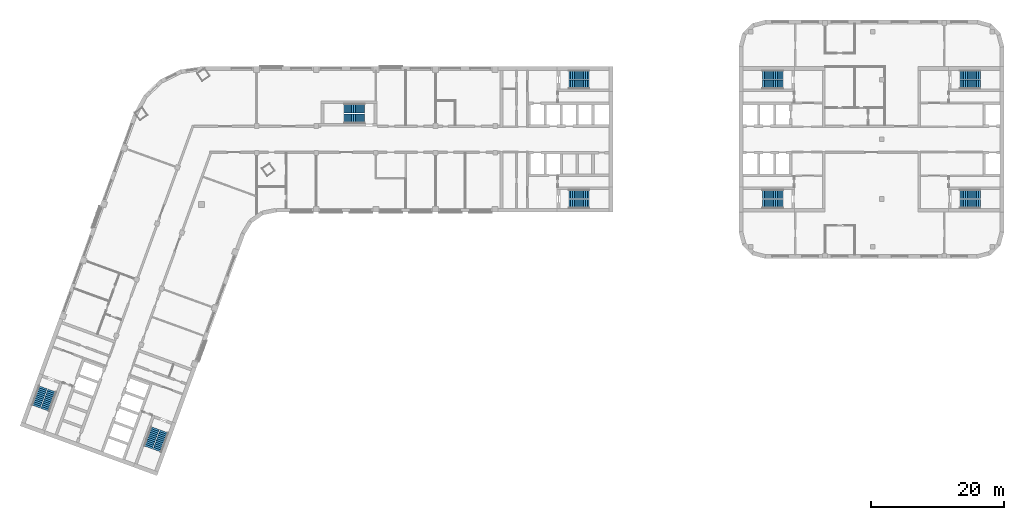
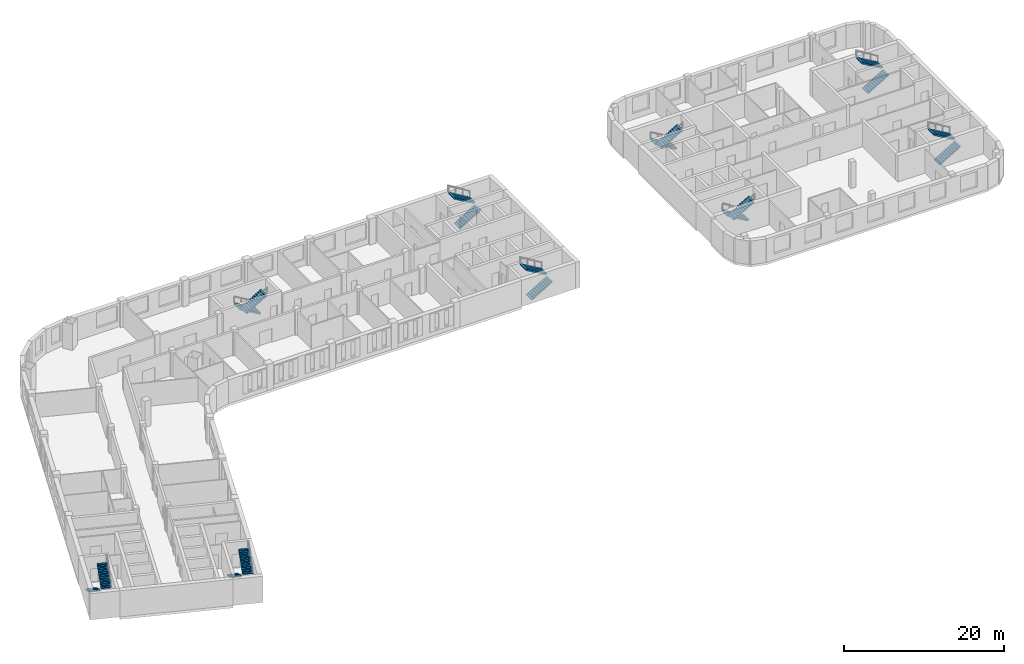
# One storey, part 10 of 12: 18 stair flights, 9 elements without a shape of their own.
"""IFC4 building model written with IfcOpenShell, lengths in metres."""

import ifcopenshell
import ifcopenshell.guid

model = None  # the IFC model being written
_history = None  # IfcOwnerHistory: only IFC2X3 demands one
_inside = {}  # id of a spatial element -> (the spatial element, [elements in it])
_under = {}  # id of a project, library or spatial element -> (it, [spatial elements below it])
_declared = {}  # id of a project -> (the project, [libraries it declares])
_typed = {}  # id of a type object -> (the type object, [elements of that type])
_made_of = {}  # id of a material, layer set ... -> (it, [elements and type objects made of it])


def new_model(schema):
    """Start an empty IFC model of exactly this schema.

    Asked for "IFC4X3", IfcOpenShell would pick the latest addendum, in which some entities
    have other attributes; the version numbers below select the first issue.
    IFC2X3 requires an IfcOwnerHistory on every rooted entity: one is made here for all.
    """
    global model, _history
    if schema == "IFC4X3":
        model = ifcopenshell.file(schema_version=(4, 3, 0, 0))
    else:
        model = ifcopenshell.file(schema=schema)
    _inside.clear()
    _under.clear()
    _declared.clear()
    _typed.clear()
    _made_of.clear()
    _history = None
    if model.schema == "IFC2X3":
        org = make("IfcOrganization", Name="unknown")
        user = make(
            "IfcPersonAndOrganization",
            ThePerson=make("IfcPerson", FamilyName="unknown"),
            TheOrganization=org,
        )
        app = make(
            "IfcApplication",
            ApplicationDeveloper=org,
            Version="unknown",
            ApplicationFullName="unknown",
            ApplicationIdentifier="unknown",
        )
        _history = make(
            "IfcOwnerHistory",
            OwningUser=user,
            OwningApplication=app,
            ChangeAction="ADDED",
            CreationDate=0,
        )
    return model


def make(cls, **values):
    """One entity of the class cls with the attributes given. An attribute that is None is left unset."""
    return model.create_entity(
        cls, **{name: value for name, value in values.items() if value is not None}
    )


def rooted(cls, **values):
    """An entity with a GlobalId (a new one), such as an element, a storey or a relation."""
    return make(cls, GlobalId=ifcopenshell.guid.new(), OwnerHistory=_history, **values)


def si_unit(unit_type, name, prefix=None):
    """IfcSIUnit, for example si_unit("LENGTHUNIT", "METRE", prefix="MILLI")."""
    return make("IfcSIUnit", UnitType=unit_type, Prefix=prefix, Name=name)


def assignment(units):
    """IfcUnitAssignment: the units of a project."""
    return None if units is None else make("IfcUnitAssignment", Units=units)


def point(xyz):
    """IfcCartesianPoint."""
    return None if xyz is None else make("IfcCartesianPoint", Coordinates=xyz)


def direction(xyz):
    """IfcDirection."""
    return None if xyz is None else make("IfcDirection", DirectionRatios=xyz)


def frame(location, z_axis=None, x_axis=None):
    """IfcAxis2Placement3D, a coordinate frame: its origin and axes. An axis left out is left unset."""
    return make(
        "IfcAxis2Placement3D",
        Location=point(location),
        Axis=direction(z_axis),
        RefDirection=direction(x_axis),
    )


def origin():
    """The frame at (0, 0, 0) with its axes left unset."""
    return frame((0.0, 0.0, 0.0))


def place(relative_to, where):
    """IfcLocalPlacement: puts the frame where relative to a parent placement (None: the world)."""
    return make(
        "IfcLocalPlacement", PlacementRelTo=relative_to, RelativePlacement=where
    )


def context(
    kind, dimensions, precision=None, world=None, true_north=None, identifier=None
):
    """IfcGeometricRepresentationContext, for example the 3D "Model" context."""
    return make(
        "IfcGeometricRepresentationContext",
        ContextIdentifier=identifier,
        ContextType=kind,
        CoordinateSpaceDimension=dimensions,
        Precision=precision,
        WorldCoordinateSystem=world,
        TrueNorth=true_north,
    )


def subcontext(parent, identifier, kind, view, scale=None):
    """IfcGeometricRepresentationSubContext, for example "Body" below "Model"."""
    return make(
        "IfcGeometricRepresentationSubContext",
        ContextIdentifier=identifier,
        ContextType=kind,
        ParentContext=parent,
        TargetScale=scale,
        TargetView=view,
    )


def project(units=None, contexts=None):
    """IfcProject with its units and contexts."""
    return rooted(
        "IfcProject",
        Name="project",
        RepresentationContexts=contexts,
        UnitsInContext=assignment(units),
    )


def spatial(cls, under=None, at=None, **own):
    """A site, building, storey or space (cls), placed at a placement, below another one or the project."""
    s = rooted(cls, ObjectPlacement=at, **own)
    if under is not None:
        _under.setdefault(under.id(), (under, []))[1].append(s)
    return s


def polyline(points):
    """IfcPolyline through the points."""
    return make("IfcPolyline", Points=[point(p) for p in points])


def outline(outer, holes=None, kind="AREA"):
    """IfcArbitraryClosedProfileDef: a profile drawn as a closed curve; with holes, ...WithVoids."""
    if holes is None:
        return make("IfcArbitraryClosedProfileDef", ProfileType=kind, OuterCurve=outer)
    return make(
        "IfcArbitraryProfileDefWithVoids",
        ProfileType=kind,
        OuterCurve=outer,
        InnerCurves=holes,
    )


def extrude(swept, where, along, depth):
    """IfcExtrudedAreaSolid: the profile swept, set in the frame where, extruded along a direction by depth."""
    return make(
        "IfcExtrudedAreaSolid",
        SweptArea=swept,
        Position=where,
        ExtrudedDirection=direction(along),
        Depth=depth,
    )


def shape(context_of_items, identifier, shape_type, items):
    """IfcShapeRepresentation: the items that make up one representation, for example the "Body"."""
    return make(
        "IfcShapeRepresentation",
        ContextOfItems=context_of_items,
        RepresentationIdentifier=identifier,
        RepresentationType=shape_type,
        Items=items,
    )


def material(Name=None, Category=None):
    """IfcMaterial."""
    return make("IfcMaterial", Name=Name, Category=Category)


def made_of(thing, what):
    """Note that an element or type object is made of a material, layer set ...; save() writes the relation."""
    if what is not None:
        _made_of.setdefault(what.id(), (what, []))[1].append(thing)
    return thing


def type_object(cls, material=None, **own):
    """A type object (cls), such as IfcWallType, which elements share."""
    return made_of(rooted(cls, **own), material)


def element(
    cls,
    number,
    at=None,
    inside=None,
    cuts=None,
    type_object=None,
    material=None,
    context=None,
    identifier="Body",
    shape_type=None,
    held_by="IfcProductDefinitionShape",
    body=None,
    shapes=None,
    **own,
):
    """One element of the class cls, such as IfcWall. Its Tag is "e" and its number.

    at: its placement. inside: the storey or other place that contains it. cuts: it is an
    opening in that element (IfcRelVoidsElement). A single representation is given by context,
    identifier, shape_type and body (its items); several are given by shapes. held_by: the class
    of the entity that holds the representations. save() writes the other relations.
    """
    e = rooted(cls, Tag="e%d" % number, ObjectPlacement=at, **own)
    if body is not None:
        shapes = [shape(context, identifier, shape_type, body)]
    if shapes is not None:
        e.Representation = make(held_by, Representations=shapes)
    if inside is not None:
        _inside.setdefault(inside.id(), (inside, []))[1].append(e)
    if cuts is not None:
        rooted(
            "IfcRelVoidsElement", RelatingBuildingElement=cuts, RelatedOpeningElement=e
        )
    if type_object is not None:
        _typed.setdefault(type_object.id(), (type_object, []))[1].append(e)
    return made_of(e, material)


def aggregate(whole, parts):
    """IfcRelAggregates: a whole, such as a stair, and the parts it consists of."""
    return rooted("IfcRelAggregates", RelatingObject=whole, RelatedObjects=parts)


def save(model, path):
    """Write the relations noted so far, then the file.

    IfcRelAggregates (storeys below a building ...), IfcRelContainedInSpatialStructure (elements
    in a storey), IfcRelDefinesByType, IfcRelAssociatesMaterial and IfcRelDeclares: one each for
    every whole, place, type object, material and project.
    """
    for whole, parts in _under.values():
        aggregate(whole, parts)
    for where, things in _inside.values():
        rooted(
            "IfcRelContainedInSpatialStructure",
            RelatedElements=things,
            RelatingStructure=where,
        )
    for kind, things in _typed.values():
        rooted("IfcRelDefinesByType", RelatedObjects=things, RelatingType=kind)
    for what, things in _made_of.values():
        rooted("IfcRelAssociatesMaterial", RelatedObjects=things, RelatingMaterial=what)
    for by, libraries in _declared.values():
        rooted("IfcRelDeclares", RelatingContext=by, RelatedDefinitions=libraries)
    model.write(path)


model = new_model("IFC4")

# Units and contexts
model_context = context("Model", 3, precision=1e-05, world=origin(), true_north=direction((0.0, 1.0)))
body_context = subcontext(model_context, "Body", "Model", "MODEL_VIEW")
ifc_project = project(units=[si_unit("LENGTHUNIT", "METRE"), si_unit("AREAUNIT", "SQUARE_METRE"), si_unit("VOLUMEUNIT", "CUBIC_METRE"), si_unit("PLANEANGLEUNIT", "RADIAN"), si_unit("MASSUNIT", "GRAM", prefix="KILO")], contexts=[model_context])

# Site, building, storey
site_placement = place(None, origin())
site = spatial("IfcSite", under=ifc_project, at=site_placement, CompositionType="ELEMENT")
building_placement = place(site_placement, origin())
building = spatial("IfcBuilding", under=site, at=building_placement, Name="Skarvind Civic Tower", CompositionType="ELEMENT")
storey_placement = place(building_placement, frame((0.0, 0.0, 59.5)))
storey = spatial("IfcBuildingStorey", under=building, at=storey_placement, Name="L13", CompositionType="ELEMENT", Elevation=59.5)

# Stair, stair flights
ifc_material = material(Name="Concrete C40/50", Category="concrete")
stair_type_1 = type_object("IfcStairType", Name="Exit stair 1450, half-turn, concrete", PredefinedType="HALF_TURN_STAIR", material=ifc_material)
stair_1_placement = place(storey_placement, origin())
stair_1 = element("IfcStair", 1, at=stair_1_placement, inside=storey, type_object=stair_type_1, Name="Exit stair CM", PredefinedType="HALF_TURN_STAIR")
stair_flight_type_1 = type_object("IfcStairFlightType", Name="Stair flight 1450, concrete", PredefinedType="STRAIGHT", material=ifc_material)
stair_flight_1_placement = place(storey_placement, frame((70.550048828125, 132.675048828125, 0.0), z_axis=(0.0, 0.0, 1.0), x_axis=(-1.0, 0.0, 0.0)))
stair_flight_1 = element("IfcStairFlight", 2, at=stair_flight_1_placement, type_object=stair_flight_type_1, Name="ST-CM flight 1", NumberOfRisers=12, NumberOfTreads=11, PredefinedType="STRAIGHT", RiserHeight=0.166666667, TreadLength=0.28, context=body_context, shape_type="SweptSolid", body=[
    extrude(outline(polyline([(0.0, 0.0), (0.0, 0.166748046875), (0.280029296875, 0.166748046875), (0.280029296875, 0.333251953125), (0.56005859375, 0.333251953125), (0.56005859375, 0.5), (0.840087890625, 0.5), (0.840087890625, 0.666748046875), (1.1201171875, 0.666748046875), (1.1201171875, 0.833251953125), (1.39990234375, 0.833251953125), (1.39990234375, 1.0), (1.679931640625, 1.0), (1.679931640625, 1.166748046875), (1.9599609375, 1.166748046875), (1.9599609375, 1.333251953125), (2.239990234375, 1.333251953125), (2.239990234375, 1.5), (2.52001953125, 1.5), (2.52001953125, 1.666748046875), (2.800048828125, 1.666748046875), (2.800048828125, 1.833251953125), (3.080078125, 1.833251953125), (3.080078125, 2.0), (3.080078125, 1.658935546875), (0.29296875, 0.0), (0.0, 0.0)])), frame((0.0, 0.72509765625, 0.0), z_axis=(0.0, -1.0, 0.0), x_axis=(1.0, 0.0, 0.0)), (0.0, 0.0, 1.0), 1.449951171875),
])
stair_flight_2_placement = place(storey_placement, frame((67.469970703125, 131.125, 2.0), z_axis=(0.0, 0.0, 1.0), x_axis=(1.0, 0.0, 0.0)))
stair_flight_2 = element("IfcStairFlight", 3, at=stair_flight_2_placement, type_object=stair_flight_type_1, Name="ST-CM flight 2", NumberOfRisers=12, NumberOfTreads=11, PredefinedType="STRAIGHT", RiserHeight=0.166666667, TreadLength=0.28, context=body_context, shape_type="SweptSolid", body=[
    extrude(outline(polyline([(0.0, 0.0), (0.0, 0.166748046875), (0.280029296875, 0.166748046875), (0.280029296875, 0.333251953125), (0.56005859375, 0.333251953125), (0.56005859375, 0.5), (0.840087890625, 0.5), (0.840087890625, 0.666748046875), (1.1201171875, 0.666748046875), (1.1201171875, 0.833251953125), (1.39990234375, 0.833251953125), (1.39990234375, 1.0), (1.679931640625, 1.0), (1.679931640625, 1.166748046875), (1.9599609375, 1.166748046875), (1.9599609375, 1.333251953125), (2.239990234375, 1.333251953125), (2.239990234375, 1.5), (2.52001953125, 1.5), (2.52001953125, 1.666748046875), (2.800048828125, 1.666748046875), (2.800048828125, 1.833251953125), (3.080078125, 1.833251953125), (3.080078125, 2.0), (3.080078125, 1.658935546875), (0.29296875, 0.0), (0.0, 0.0)])), frame((0.0, 0.72509765625, 0.0), z_axis=(0.0, -1.0, 0.0), x_axis=(1.0, 0.0, 0.0)), (0.0, 0.0, 1.0), 1.449951171875),
])
aggregate(stair_1, [stair_flight_1, stair_flight_2])

stair_type_2 = type_object("IfcStairType", Name="Exit stair, half-turn, concrete", PredefinedType="HALF_TURN_STAIR", material=ifc_material)
stair_2_placement = place(storey_placement, origin())
stair_2 = element("IfcStair", 4, at=stair_2_placement, inside=storey, type_object=stair_type_2, Name="Exit stair C1S", PredefinedType="HALF_TURN_STAIR")
stair_flight_type_2 = type_object("IfcStairFlightType", Name="Stair flight, concrete", PredefinedType="STRAIGHT", material=ifc_material)
stair_flight_3_placement = place(storey_placement, frame((101.35009765625, 136.27490234375, 0.0), z_axis=(0.0, 0.0, 1.0), x_axis=(1.0, 0.0, 0.0)))
stair_flight_3 = element("IfcStairFlight", 5, at=stair_flight_3_placement, type_object=stair_flight_type_2, Name="ST-C1S flight 1", NumberOfRisers=12, NumberOfTreads=11, PredefinedType="STRAIGHT", RiserHeight=0.166666667, TreadLength=0.28, context=body_context, shape_type="SweptSolid", body=[
    extrude(outline(polyline([(0.0, 0.0), (0.0, 0.166748046875), (0.280029296875, 0.166748046875), (0.280029296875, 0.333251953125), (0.56005859375, 0.333251953125), (0.56005859375, 0.5), (0.840087890625, 0.5), (0.840087890625, 0.666748046875), (1.1201171875, 0.666748046875), (1.1201171875, 0.833251953125), (1.39990234375, 0.833251953125), (1.39990234375, 1.0), (1.679931640625, 1.0), (1.679931640625, 1.166748046875), (1.9599609375, 1.166748046875), (1.9599609375, 1.333251953125), (2.239990234375, 1.333251953125), (2.239990234375, 1.5), (2.52001953125, 1.5), (2.52001953125, 1.666748046875), (2.800048828125, 1.666748046875), (2.800048828125, 1.833251953125), (3.080078125, 1.833251953125), (3.080078125, 2.0), (3.080078125, 1.658935546875), (0.29296875, 0.0), (0.0, 0.0)])), frame((0.0, 0.675048828125, 0.0), z_axis=(0.0, -1.0, 0.0), x_axis=(1.0, 0.0, 0.0)), (0.0, 0.0, 1.0), 1.35009765625),
])
stair_flight_4_placement = place(storey_placement, frame((104.429931640625, 137.72509765625, 2.0), z_axis=(0.0, 0.0, 1.0), x_axis=(-1.0, 0.0, 0.0)))
stair_flight_4 = element("IfcStairFlight", 6, at=stair_flight_4_placement, type_object=stair_flight_type_2, Name="ST-C1S flight 2", NumberOfRisers=12, NumberOfTreads=11, PredefinedType="STRAIGHT", RiserHeight=0.166666667, TreadLength=0.28, context=body_context, shape_type="SweptSolid", body=[
    extrude(outline(polyline([(0.0, 0.0), (0.0, 0.166748046875), (0.280029296875, 0.166748046875), (0.280029296875, 0.333251953125), (0.56005859375, 0.333251953125), (0.56005859375, 0.5), (0.840087890625, 0.5), (0.840087890625, 0.666748046875), (1.1201171875, 0.666748046875), (1.1201171875, 0.833251953125), (1.39990234375, 0.833251953125), (1.39990234375, 1.0), (1.679931640625, 1.0), (1.679931640625, 1.166748046875), (1.9599609375, 1.166748046875), (1.9599609375, 1.333251953125), (2.239990234375, 1.333251953125), (2.239990234375, 1.5), (2.52001953125, 1.5), (2.52001953125, 1.666748046875), (2.800048828125, 1.666748046875), (2.800048828125, 1.833251953125), (3.080078125, 1.833251953125), (3.080078125, 2.0), (3.080078125, 1.658935546875), (0.29296875, 0.0), (0.0, 0.0)])), frame((0.0, 0.675048828125, 0.0), z_axis=(0.0, -1.0, 0.0), x_axis=(1.0, 0.0, 0.0)), (0.0, 0.0, 1.0), 1.35009765625),
])
aggregate(stair_2, [stair_flight_3, stair_flight_4])

stair_3_placement = place(storey_placement, origin())
stair_3 = element("IfcStair", 7, at=stair_3_placement, inside=storey, type_object=stair_type_2, Name="Exit stair C1N", PredefinedType="HALF_TURN_STAIR")
stair_flight_5_placement = place(storey_placement, frame((101.35009765625, 118.27490234375, 0.0), z_axis=(0.0, 0.0, 1.0), x_axis=(1.0, 0.0, 0.0)))
stair_flight_5 = element("IfcStairFlight", 8, at=stair_flight_5_placement, type_object=stair_flight_type_2, Name="ST-C1N flight 1", NumberOfRisers=12, NumberOfTreads=11, PredefinedType="STRAIGHT", RiserHeight=0.166666667, TreadLength=0.28, context=body_context, shape_type="SweptSolid", body=[
    extrude(outline(polyline([(0.0, 0.0), (0.0, 0.166748046875), (0.280029296875, 0.166748046875), (0.280029296875, 0.333251953125), (0.56005859375, 0.333251953125), (0.56005859375, 0.5), (0.840087890625, 0.5), (0.840087890625, 0.666748046875), (1.1201171875, 0.666748046875), (1.1201171875, 0.833251953125), (1.39990234375, 0.833251953125), (1.39990234375, 1.0), (1.679931640625, 1.0), (1.679931640625, 1.166748046875), (1.9599609375, 1.166748046875), (1.9599609375, 1.333251953125), (2.239990234375, 1.333251953125), (2.239990234375, 1.5), (2.52001953125, 1.5), (2.52001953125, 1.666748046875), (2.800048828125, 1.666748046875), (2.800048828125, 1.833251953125), (3.080078125, 1.833251953125), (3.080078125, 2.0), (3.080078125, 1.658935546875), (0.29296875, 0.0), (0.0, 0.0)])), frame((0.0, 0.675048828125, 0.0), z_axis=(0.0, -1.0, 0.0), x_axis=(1.0, 0.0, 0.0)), (0.0, 0.0, 1.0), 1.35009765625),
])
stair_flight_6_placement = place(storey_placement, frame((104.429931640625, 119.72509765625, 2.0), z_axis=(0.0, 0.0, 1.0), x_axis=(-1.0, 0.0, 0.0)))
stair_flight_6 = element("IfcStairFlight", 9, at=stair_flight_6_placement, type_object=stair_flight_type_2, Name="ST-C1N flight 2", NumberOfRisers=12, NumberOfTreads=11, PredefinedType="STRAIGHT", RiserHeight=0.166666667, TreadLength=0.28, context=body_context, shape_type="SweptSolid", body=[
    extrude(outline(polyline([(0.0, 0.0), (0.0, 0.166748046875), (0.280029296875, 0.166748046875), (0.280029296875, 0.333251953125), (0.56005859375, 0.333251953125), (0.56005859375, 0.5), (0.840087890625, 0.5), (0.840087890625, 0.666748046875), (1.1201171875, 0.666748046875), (1.1201171875, 0.833251953125), (1.39990234375, 0.833251953125), (1.39990234375, 1.0), (1.679931640625, 1.0), (1.679931640625, 1.166748046875), (1.9599609375, 1.166748046875), (1.9599609375, 1.333251953125), (2.239990234375, 1.333251953125), (2.239990234375, 1.5), (2.52001953125, 1.5), (2.52001953125, 1.666748046875), (2.800048828125, 1.666748046875), (2.800048828125, 1.833251953125), (3.080078125, 1.833251953125), (3.080078125, 2.0), (3.080078125, 1.658935546875), (0.29296875, 0.0), (0.0, 0.0)])), frame((0.0, 0.675048828125, 0.0), z_axis=(0.0, -1.0, 0.0), x_axis=(1.0, 0.0, 0.0)), (0.0, 0.0, 1.0), 1.35009765625),
])
aggregate(stair_3, [stair_flight_5, stair_flight_6])

stair_4_placement = place(storey_placement, origin())
stair_4 = element("IfcStair", 10, at=stair_4_placement, inside=storey, type_object=stair_type_2, Name="Exit stair C2S", PredefinedType="HALF_TURN_STAIR")
stair_flight_7_placement = place(storey_placement, frame((38.949462890625, 84.43408203125, 0.0), z_axis=(0.0, 0.0, 1.0), x_axis=(-0.342020143326, -0.939692620786, 0.0)))
stair_flight_7 = element("IfcStairFlight", 11, at=stair_flight_7_placement, type_object=stair_flight_type_2, Name="ST-C2S flight 1", NumberOfRisers=12, NumberOfTreads=11, PredefinedType="STRAIGHT", RiserHeight=0.166666667, TreadLength=0.28, context=body_context, shape_type="SweptSolid", body=[
    extrude(outline(polyline([(0.0, 0.0), (0.0, 0.166748046875), (0.280029296875, 0.166748046875), (0.280029296875, 0.333251953125), (0.56005859375, 0.333251953125), (0.56005859375, 0.5), (0.840087890625, 0.5), (0.840087890625, 0.666748046875), (1.1201171875, 0.666748046875), (1.1201171875, 0.833251953125), (1.39990234375, 0.833251953125), (1.39990234375, 1.0), (1.679931640625, 1.0), (1.679931640625, 1.166748046875), (1.9599609375, 1.166748046875), (1.9599609375, 1.333251953125), (2.239990234375, 1.333251953125), (2.239990234375, 1.5), (2.52001953125, 1.5), (2.52001953125, 1.666748046875), (2.800048828125, 1.666748046875), (2.800048828125, 1.833251953125), (3.080078125, 1.833251953125), (3.080078125, 2.0), (3.080078125, 1.658935546875), (0.29296875, 0.0), (0.0, 0.0)])), frame((0.0, 0.675048828125, 0.0), z_axis=(0.0, -1.0, 0.0), x_axis=(1.0, 0.0, 0.0)), (0.0, 0.0, 1.0), 1.35009765625),
])
stair_flight_8_placement = place(storey_placement, frame((39.258544921875, 81.0439453125, 2.0), z_axis=(0.0, 0.0, 1.0), x_axis=(0.342020143326, 0.939692620786, 0.0)))
stair_flight_8 = element("IfcStairFlight", 12, at=stair_flight_8_placement, type_object=stair_flight_type_2, Name="ST-C2S flight 2", NumberOfRisers=12, NumberOfTreads=11, PredefinedType="STRAIGHT", RiserHeight=0.166666667, TreadLength=0.28, context=body_context, shape_type="SweptSolid", body=[
    extrude(outline(polyline([(0.0, 0.0), (0.0, 0.166748046875), (0.280029296875, 0.166748046875), (0.280029296875, 0.333251953125), (0.56005859375, 0.333251953125), (0.56005859375, 0.5), (0.840087890625, 0.5), (0.840087890625, 0.666748046875), (1.1201171875, 0.666748046875), (1.1201171875, 0.833251953125), (1.39990234375, 0.833251953125), (1.39990234375, 1.0), (1.679931640625, 1.0), (1.679931640625, 1.166748046875), (1.9599609375, 1.166748046875), (1.9599609375, 1.333251953125), (2.239990234375, 1.333251953125), (2.239990234375, 1.5), (2.52001953125, 1.5), (2.52001953125, 1.666748046875), (2.800048828125, 1.666748046875), (2.800048828125, 1.833251953125), (3.080078125, 1.833251953125), (3.080078125, 2.0), (3.080078125, 1.658935546875), (0.29296875, 0.0), (0.0, 0.0)])), frame((0.0, 0.675048828125, 0.0), z_axis=(0.0, -1.0, 0.0), x_axis=(1.0, 0.0, 0.0)), (0.0, 0.0, 1.0), 1.35009765625),
])
aggregate(stair_4, [stair_flight_7, stair_flight_8])

stair_5_placement = place(storey_placement, origin())
stair_5 = element("IfcStair", 13, at=stair_5_placement, inside=storey, type_object=stair_type_2, Name="Exit stair C2N", PredefinedType="HALF_TURN_STAIR")
stair_flight_9_placement = place(storey_placement, frame((22.034912109375, 90.590576171875, 0.0), z_axis=(0.0, 0.0, 1.0), x_axis=(-0.342020143326, -0.939692620786, 0.0)))
stair_flight_9 = element("IfcStairFlight", 14, at=stair_flight_9_placement, type_object=stair_flight_type_2, Name="ST-C2N flight 1", NumberOfRisers=12, NumberOfTreads=11, PredefinedType="STRAIGHT", RiserHeight=0.166666667, TreadLength=0.28, context=body_context, shape_type="SweptSolid", body=[
    extrude(outline(polyline([(0.0, 0.0), (0.0, 0.166748046875), (0.280029296875, 0.166748046875), (0.280029296875, 0.333251953125), (0.56005859375, 0.333251953125), (0.56005859375, 0.5), (0.840087890625, 0.5), (0.840087890625, 0.666748046875), (1.1201171875, 0.666748046875), (1.1201171875, 0.833251953125), (1.39990234375, 0.833251953125), (1.39990234375, 1.0), (1.679931640625, 1.0), (1.679931640625, 1.166748046875), (1.9599609375, 1.166748046875), (1.9599609375, 1.333251953125), (2.239990234375, 1.333251953125), (2.239990234375, 1.5), (2.52001953125, 1.5), (2.52001953125, 1.666748046875), (2.800048828125, 1.666748046875), (2.800048828125, 1.833251953125), (3.080078125, 1.833251953125), (3.080078125, 2.0), (3.080078125, 1.658935546875), (0.29296875, 0.0), (0.0, 0.0)])), frame((0.0, 0.675048828125, 0.0), z_axis=(0.0, -1.0, 0.0), x_axis=(1.0, 0.0, 0.0)), (0.0, 0.0, 1.0), 1.35009765625),
])
stair_flight_10_placement = place(storey_placement, frame((22.343994140625, 87.2001953125, 2.0), z_axis=(0.0, 0.0, 1.0), x_axis=(0.342020143326, 0.939692620786, 0.0)))
stair_flight_10 = element("IfcStairFlight", 15, at=stair_flight_10_placement, type_object=stair_flight_type_2, Name="ST-C2N flight 2", NumberOfRisers=12, NumberOfTreads=11, PredefinedType="STRAIGHT", RiserHeight=0.166666667, TreadLength=0.28, context=body_context, shape_type="SweptSolid", body=[
    extrude(outline(polyline([(0.0, 0.0), (0.0, 0.166748046875), (0.280029296875, 0.166748046875), (0.280029296875, 0.333251953125), (0.56005859375, 0.333251953125), (0.56005859375, 0.5), (0.840087890625, 0.5), (0.840087890625, 0.666748046875), (1.1201171875, 0.666748046875), (1.1201171875, 0.833251953125), (1.39990234375, 0.833251953125), (1.39990234375, 1.0), (1.679931640625, 1.0), (1.679931640625, 1.166748046875), (1.9599609375, 1.166748046875), (1.9599609375, 1.333251953125), (2.239990234375, 1.333251953125), (2.239990234375, 1.5), (2.52001953125, 1.5), (2.52001953125, 1.666748046875), (2.800048828125, 1.666748046875), (2.800048828125, 1.833251953125), (3.080078125, 1.833251953125), (3.080078125, 2.0), (3.080078125, 1.658935546875), (0.29296875, 0.0), (0.0, 0.0)])), frame((0.0, 0.675048828125, 0.0), z_axis=(0.0, -1.0, 0.0), x_axis=(1.0, 0.0, 0.0)), (0.0, 0.0, 1.0), 1.35009765625),
])
aggregate(stair_5, [stair_flight_9, stair_flight_10])

stair_6_placement = place(storey_placement, origin())
stair_6 = element("IfcStair", 16, at=stair_6_placement, inside=storey, type_object=stair_type_2, Name="Exit stair CAS", PredefinedType="HALF_TURN_STAIR")
stair_flight_11_placement = place(storey_placement, frame((133.64990234375, 119.72509765625, 0.0), z_axis=(0.0, 0.0, 1.0), x_axis=(-1.0, 0.0, 0.0)))
stair_flight_11 = element("IfcStairFlight", 17, at=stair_flight_11_placement, type_object=stair_flight_type_2, Name="ST-CAS flight 1", NumberOfRisers=12, NumberOfTreads=11, PredefinedType="STRAIGHT", RiserHeight=0.166666667, TreadLength=0.28, context=body_context, shape_type="SweptSolid", body=[
    extrude(outline(polyline([(0.0, 0.0), (0.0, 0.166748046875), (0.280029296875, 0.166748046875), (0.280029296875, 0.333251953125), (0.56005859375, 0.333251953125), (0.56005859375, 0.5), (0.840087890625, 0.5), (0.840087890625, 0.666748046875), (1.1201171875, 0.666748046875), (1.1201171875, 0.833251953125), (1.39990234375, 0.833251953125), (1.39990234375, 1.0), (1.679931640625, 1.0), (1.679931640625, 1.166748046875), (1.9599609375, 1.166748046875), (1.9599609375, 1.333251953125), (2.239990234375, 1.333251953125), (2.239990234375, 1.5), (2.52001953125, 1.5), (2.52001953125, 1.666748046875), (2.800048828125, 1.666748046875), (2.800048828125, 1.833251953125), (3.080078125, 1.833251953125), (3.080078125, 2.0), (3.080078125, 1.658935546875), (0.29296875, 0.0), (0.0, 0.0)])), frame((0.0, 0.675048828125, 0.0), z_axis=(0.0, -1.0, 0.0), x_axis=(1.0, 0.0, 0.0)), (0.0, 0.0, 1.0), 1.35009765625),
])
stair_flight_12_placement = place(storey_placement, frame((130.570068359375, 118.27490234375, 2.0), z_axis=(0.0, 0.0, 1.0), x_axis=(1.0, 0.0, 0.0)))
stair_flight_12 = element("IfcStairFlight", 18, at=stair_flight_12_placement, type_object=stair_flight_type_2, Name="ST-CAS flight 2", NumberOfRisers=12, NumberOfTreads=11, PredefinedType="STRAIGHT", RiserHeight=0.166666667, TreadLength=0.28, context=body_context, shape_type="SweptSolid", body=[
    extrude(outline(polyline([(0.0, 0.0), (0.0, 0.166748046875), (0.280029296875, 0.166748046875), (0.280029296875, 0.333251953125), (0.56005859375, 0.333251953125), (0.56005859375, 0.5), (0.840087890625, 0.5), (0.840087890625, 0.666748046875), (1.1201171875, 0.666748046875), (1.1201171875, 0.833251953125), (1.39990234375, 0.833251953125), (1.39990234375, 1.0), (1.679931640625, 1.0), (1.679931640625, 1.166748046875), (1.9599609375, 1.166748046875), (1.9599609375, 1.333251953125), (2.239990234375, 1.333251953125), (2.239990234375, 1.5), (2.52001953125, 1.5), (2.52001953125, 1.666748046875), (2.800048828125, 1.666748046875), (2.800048828125, 1.833251953125), (3.080078125, 1.833251953125), (3.080078125, 2.0), (3.080078125, 1.658935546875), (0.29296875, 0.0), (0.0, 0.0)])), frame((0.0, 0.675048828125, 0.0), z_axis=(0.0, -1.0, 0.0), x_axis=(1.0, 0.0, 0.0)), (0.0, 0.0, 1.0), 1.35009765625),
])
aggregate(stair_6, [stair_flight_11, stair_flight_12])

stair_7_placement = place(storey_placement, origin())
stair_7 = element("IfcStair", 19, at=stair_7_placement, inside=storey, type_object=stair_type_2, Name="Exit stair CAN", PredefinedType="HALF_TURN_STAIR")
stair_flight_13_placement = place(storey_placement, frame((133.64990234375, 137.72509765625, 0.0), z_axis=(0.0, 0.0, 1.0), x_axis=(-1.0, 0.0, 0.0)))
stair_flight_13 = element("IfcStairFlight", 20, at=stair_flight_13_placement, type_object=stair_flight_type_2, Name="ST-CAN flight 1", NumberOfRisers=12, NumberOfTreads=11, PredefinedType="STRAIGHT", RiserHeight=0.166666667, TreadLength=0.28, context=body_context, shape_type="SweptSolid", body=[
    extrude(outline(polyline([(0.0, 0.0), (0.0, 0.166748046875), (0.280029296875, 0.166748046875), (0.280029296875, 0.333251953125), (0.56005859375, 0.333251953125), (0.56005859375, 0.5), (0.840087890625, 0.5), (0.840087890625, 0.666748046875), (1.1201171875, 0.666748046875), (1.1201171875, 0.833251953125), (1.39990234375, 0.833251953125), (1.39990234375, 1.0), (1.679931640625, 1.0), (1.679931640625, 1.166748046875), (1.9599609375, 1.166748046875), (1.9599609375, 1.333251953125), (2.239990234375, 1.333251953125), (2.239990234375, 1.5), (2.52001953125, 1.5), (2.52001953125, 1.666748046875), (2.800048828125, 1.666748046875), (2.800048828125, 1.833251953125), (3.080078125, 1.833251953125), (3.080078125, 2.0), (3.080078125, 1.658935546875), (0.29296875, 0.0), (0.0, 0.0)])), frame((0.0, 0.675048828125, 0.0), z_axis=(0.0, -1.0, 0.0), x_axis=(1.0, 0.0, 0.0)), (0.0, 0.0, 1.0), 1.35009765625),
])
stair_flight_14_placement = place(storey_placement, frame((130.570068359375, 136.27490234375, 2.0), z_axis=(0.0, 0.0, 1.0), x_axis=(1.0, 0.0, 0.0)))
stair_flight_14 = element("IfcStairFlight", 21, at=stair_flight_14_placement, type_object=stair_flight_type_2, Name="ST-CAN flight 2", NumberOfRisers=12, NumberOfTreads=11, PredefinedType="STRAIGHT", RiserHeight=0.166666667, TreadLength=0.28, context=body_context, shape_type="SweptSolid", body=[
    extrude(outline(polyline([(0.0, 0.0), (0.0, 0.166748046875), (0.280029296875, 0.166748046875), (0.280029296875, 0.333251953125), (0.56005859375, 0.333251953125), (0.56005859375, 0.5), (0.840087890625, 0.5), (0.840087890625, 0.666748046875), (1.1201171875, 0.666748046875), (1.1201171875, 0.833251953125), (1.39990234375, 0.833251953125), (1.39990234375, 1.0), (1.679931640625, 1.0), (1.679931640625, 1.166748046875), (1.9599609375, 1.166748046875), (1.9599609375, 1.333251953125), (2.239990234375, 1.333251953125), (2.239990234375, 1.5), (2.52001953125, 1.5), (2.52001953125, 1.666748046875), (2.800048828125, 1.666748046875), (2.800048828125, 1.833251953125), (3.080078125, 1.833251953125), (3.080078125, 2.0), (3.080078125, 1.658935546875), (0.29296875, 0.0), (0.0, 0.0)])), frame((0.0, 0.675048828125, 0.0), z_axis=(0.0, -1.0, 0.0), x_axis=(1.0, 0.0, 0.0)), (0.0, 0.0, 1.0), 1.35009765625),
])
aggregate(stair_7, [stair_flight_13, stair_flight_14])

stair_8_placement = place(storey_placement, origin())
stair_8 = element("IfcStair", 22, at=stair_8_placement, inside=storey, type_object=stair_type_2, Name="Exit stair CBS", PredefinedType="HALF_TURN_STAIR")
stair_flight_15_placement = place(storey_placement, frame((160.35009765625, 136.27490234375, 0.0), z_axis=(0.0, 0.0, 1.0), x_axis=(1.0, 0.0, 0.0)))
stair_flight_15 = element("IfcStairFlight", 23, at=stair_flight_15_placement, type_object=stair_flight_type_2, Name="ST-CBS flight 1", NumberOfRisers=12, NumberOfTreads=11, PredefinedType="STRAIGHT", RiserHeight=0.166666667, TreadLength=0.28, context=body_context, shape_type="SweptSolid", body=[
    extrude(outline(polyline([(0.0, 0.0), (0.0, 0.166748046875), (0.280029296875, 0.166748046875), (0.280029296875, 0.333251953125), (0.56005859375, 0.333251953125), (0.56005859375, 0.5), (0.840087890625, 0.5), (0.840087890625, 0.666748046875), (1.1201171875, 0.666748046875), (1.1201171875, 0.833251953125), (1.39990234375, 0.833251953125), (1.39990234375, 1.0), (1.679931640625, 1.0), (1.679931640625, 1.166748046875), (1.9599609375, 1.166748046875), (1.9599609375, 1.333251953125), (2.239990234375, 1.333251953125), (2.239990234375, 1.5), (2.52001953125, 1.5), (2.52001953125, 1.666748046875), (2.800048828125, 1.666748046875), (2.800048828125, 1.833251953125), (3.080078125, 1.833251953125), (3.080078125, 2.0), (3.080078125, 1.658935546875), (0.29296875, 0.0), (0.0, 0.0)])), frame((0.0, 0.675048828125, 0.0), z_axis=(0.0, -1.0, 0.0), x_axis=(1.0, 0.0, 0.0)), (0.0, 0.0, 1.0), 1.35009765625),
])
stair_flight_16_placement = place(storey_placement, frame((163.429931640625, 137.72509765625, 2.0), z_axis=(0.0, 0.0, 1.0), x_axis=(-1.0, 0.0, 0.0)))
stair_flight_16 = element("IfcStairFlight", 24, at=stair_flight_16_placement, type_object=stair_flight_type_2, Name="ST-CBS flight 2", NumberOfRisers=12, NumberOfTreads=11, PredefinedType="STRAIGHT", RiserHeight=0.166666667, TreadLength=0.28, context=body_context, shape_type="SweptSolid", body=[
    extrude(outline(polyline([(0.0, 0.0), (0.0, 0.166748046875), (0.280029296875, 0.166748046875), (0.280029296875, 0.333251953125), (0.56005859375, 0.333251953125), (0.56005859375, 0.5), (0.840087890625, 0.5), (0.840087890625, 0.666748046875), (1.1201171875, 0.666748046875), (1.1201171875, 0.833251953125), (1.39990234375, 0.833251953125), (1.39990234375, 1.0), (1.679931640625, 1.0), (1.679931640625, 1.166748046875), (1.9599609375, 1.166748046875), (1.9599609375, 1.333251953125), (2.239990234375, 1.333251953125), (2.239990234375, 1.5), (2.52001953125, 1.5), (2.52001953125, 1.666748046875), (2.800048828125, 1.666748046875), (2.800048828125, 1.833251953125), (3.080078125, 1.833251953125), (3.080078125, 2.0), (3.080078125, 1.658935546875), (0.29296875, 0.0), (0.0, 0.0)])), frame((0.0, 0.675048828125, 0.0), z_axis=(0.0, -1.0, 0.0), x_axis=(1.0, 0.0, 0.0)), (0.0, 0.0, 1.0), 1.35009765625),
])
aggregate(stair_8, [stair_flight_15, stair_flight_16])

stair_9_placement = place(storey_placement, origin())
stair_9 = element("IfcStair", 25, at=stair_9_placement, inside=storey, type_object=stair_type_2, Name="Exit stair CBN", PredefinedType="HALF_TURN_STAIR")
stair_flight_17_placement = place(storey_placement, frame((160.35009765625, 118.27490234375, 0.0), z_axis=(0.0, 0.0, 1.0), x_axis=(1.0, 0.0, 0.0)))
stair_flight_17 = element("IfcStairFlight", 26, at=stair_flight_17_placement, type_object=stair_flight_type_2, Name="ST-CBN flight 1", NumberOfRisers=12, NumberOfTreads=11, PredefinedType="STRAIGHT", RiserHeight=0.166666667, TreadLength=0.28, context=body_context, shape_type="SweptSolid", body=[
    extrude(outline(polyline([(0.0, 0.0), (0.0, 0.166748046875), (0.280029296875, 0.166748046875), (0.280029296875, 0.333251953125), (0.56005859375, 0.333251953125), (0.56005859375, 0.5), (0.840087890625, 0.5), (0.840087890625, 0.666748046875), (1.1201171875, 0.666748046875), (1.1201171875, 0.833251953125), (1.39990234375, 0.833251953125), (1.39990234375, 1.0), (1.679931640625, 1.0), (1.679931640625, 1.166748046875), (1.9599609375, 1.166748046875), (1.9599609375, 1.333251953125), (2.239990234375, 1.333251953125), (2.239990234375, 1.5), (2.52001953125, 1.5), (2.52001953125, 1.666748046875), (2.800048828125, 1.666748046875), (2.800048828125, 1.833251953125), (3.080078125, 1.833251953125), (3.080078125, 2.0), (3.080078125, 1.658935546875), (0.29296875, 0.0), (0.0, 0.0)])), frame((0.0, 0.675048828125, 0.0), z_axis=(0.0, -1.0, 0.0), x_axis=(1.0, 0.0, 0.0)), (0.0, 0.0, 1.0), 1.35009765625),
])
stair_flight_18_placement = place(storey_placement, frame((163.429931640625, 119.72509765625, 2.0), z_axis=(0.0, 0.0, 1.0), x_axis=(-1.0, 0.0, 0.0)))
stair_flight_18 = element("IfcStairFlight", 27, at=stair_flight_18_placement, type_object=stair_flight_type_2, Name="ST-CBN flight 2", NumberOfRisers=12, NumberOfTreads=11, PredefinedType="STRAIGHT", RiserHeight=0.166666667, TreadLength=0.28, context=body_context, shape_type="SweptSolid", body=[
    extrude(outline(polyline([(0.0, 0.0), (0.0, 0.166748046875), (0.280029296875, 0.166748046875), (0.280029296875, 0.333251953125), (0.56005859375, 0.333251953125), (0.56005859375, 0.5), (0.840087890625, 0.5), (0.840087890625, 0.666748046875), (1.1201171875, 0.666748046875), (1.1201171875, 0.833251953125), (1.39990234375, 0.833251953125), (1.39990234375, 1.0), (1.679931640625, 1.0), (1.679931640625, 1.166748046875), (1.9599609375, 1.166748046875), (1.9599609375, 1.333251953125), (2.239990234375, 1.333251953125), (2.239990234375, 1.5), (2.52001953125, 1.5), (2.52001953125, 1.666748046875), (2.800048828125, 1.666748046875), (2.800048828125, 1.833251953125), (3.080078125, 1.833251953125), (3.080078125, 2.0), (3.080078125, 1.658935546875), (0.29296875, 0.0), (0.0, 0.0)])), frame((0.0, 0.675048828125, 0.0), z_axis=(0.0, -1.0, 0.0), x_axis=(1.0, 0.0, 0.0)), (0.0, 0.0, 1.0), 1.35009765625),
])
aggregate(stair_9, [stair_flight_17, stair_flight_18])

save(model, "model.ifc")
